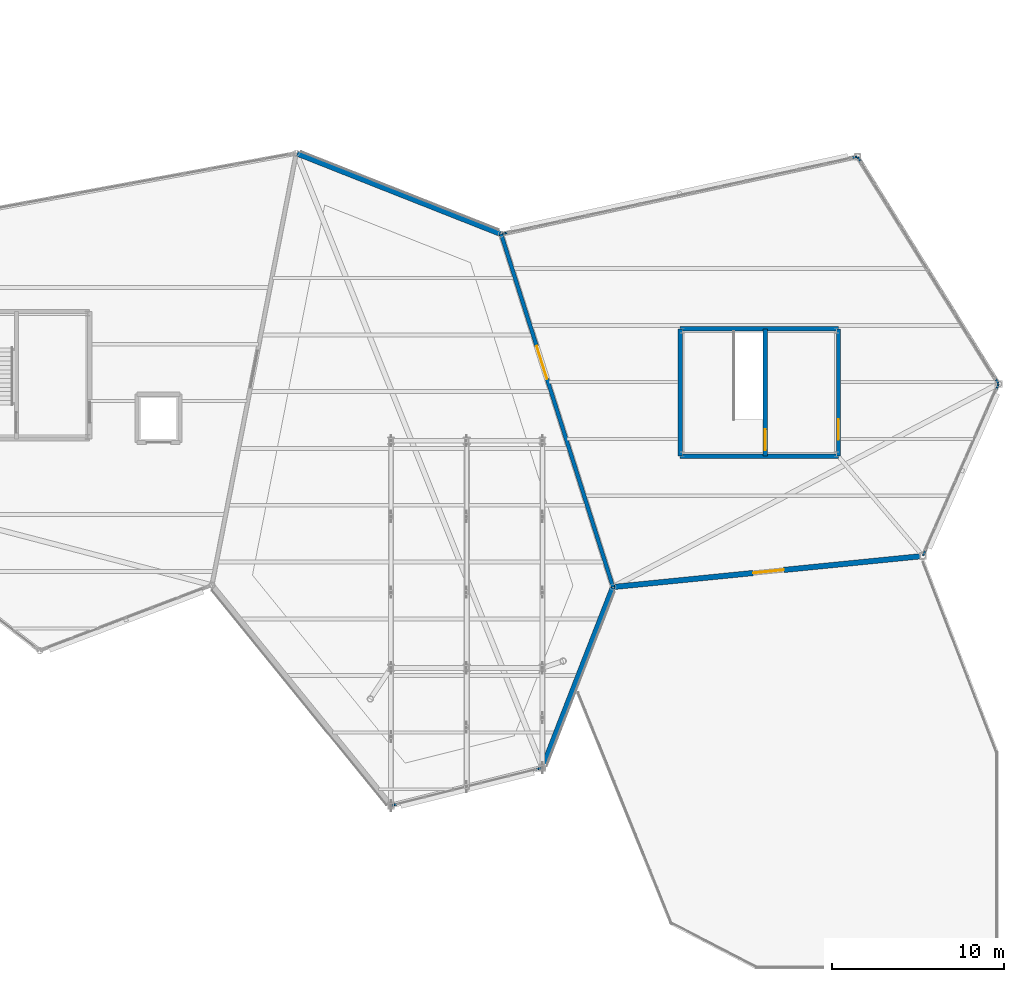
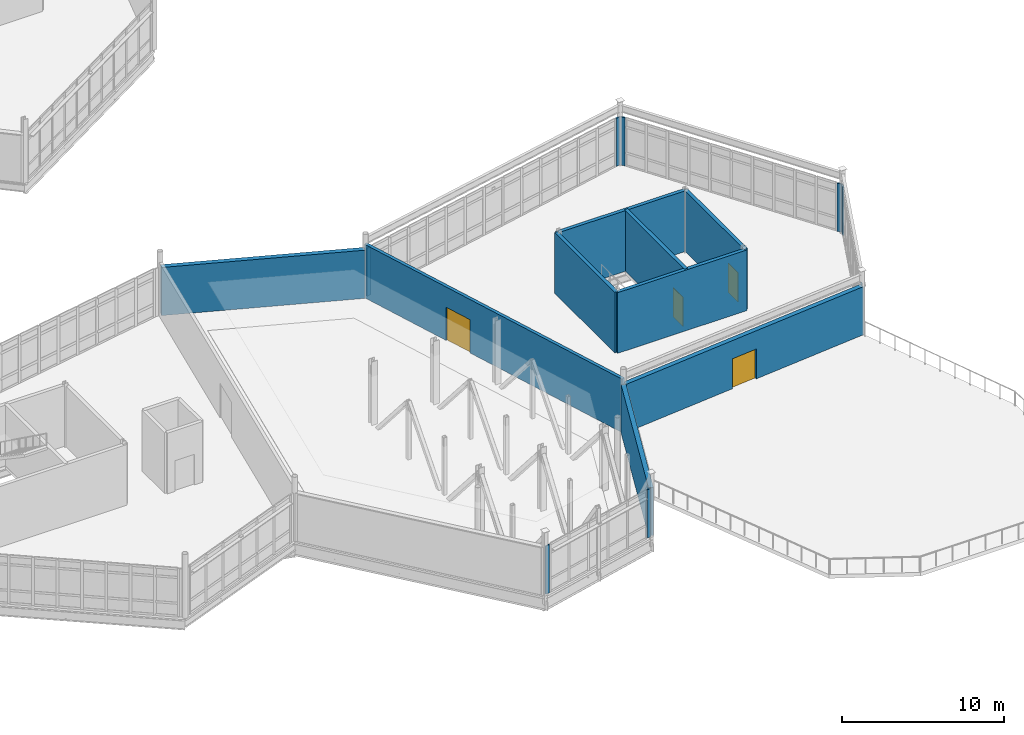
# One storey, part 98 of 114: 17 walls, 4 doors, 4 openings.
"""IFC4 building model written with IfcOpenShell, lengths in metres."""

from ifc_helpers import new_model, si_unit, direction, frame, frame_2d, origin, place, context, subcontext, project, spatial, rectangle, extrude, material, layer, layer_set, type_object, element, fill, save


model = new_model("IFC4")

# Units and contexts
model_context = context("Model", 3, precision=1e-05, world=origin(), true_north=direction((0.0, 1.0)))
body_context = subcontext(model_context, "Body", "Model", "MODEL_VIEW")
ifc_project = project(units=[si_unit("LENGTHUNIT", "METRE"), si_unit("AREAUNIT", "SQUARE_METRE"), si_unit("VOLUMEUNIT", "CUBIC_METRE"), si_unit("PLANEANGLEUNIT", "RADIAN"), si_unit("MASSUNIT", "GRAM", prefix="KILO")], contexts=[model_context])

# Site, building, storey
site_placement = place(None, origin())
site = spatial("IfcSite", under=ifc_project, at=site_placement, CompositionType="ELEMENT")
building_placement = place(site_placement, origin())
building = spatial("IfcBuilding", under=site, at=building_placement, Name="Tameran Prism Museum", CompositionType="ELEMENT")
storey_placement = place(building_placement, frame((0.0, 0.0, 10.199951171875)))
storey = spatial("IfcBuildingStorey", under=building, at=storey_placement, Name="L02", CompositionType="ELEMENT", Elevation=10.199951171875)

# Walls
ifc_material_1 = material(Name="Precast Concrete N40 (40 MPa)", Category="concrete")
ifc_layer_1 = layer(ifc_material_1, 0.094970703125)
ifc_layer_set_1 = layer_set([ifc_layer_1])
wall_type_1 = type_object("IfcWallType", Name="EW-CLOS-095", PredefinedType="SOLIDWALL", material=ifc_layer_set_1)
for number, where, z_axis, x_axis, name in (
    (1, (139.85888671875, 11.68994140625, 0.0), (0.0, 0.0, 1.0), (-0.969955755214, -0.243281386316, 0.0), "Facade Corner Closure EW-0323"),
    (2, (131.43994140625, 9.5849609375, 0.0), (0.0, 0.0, 1.0), (-0.969955755214, -0.243281386316, 0.0), "Facade Corner Closure EW-0324"),
    (3, (166.383056640625, 33.9619140625, 0.0), (0.0, 0.0, 1.0), (-0.402605813257, -0.915373453369, 0.0), "Facade Corner Closure EW-0353"),
    (4, (162.14111328125, 24.320068359375, 0.0), (0.0, 0.0, 1.0), (-0.402605813257, -0.915373453369, 0.0), "Facade Corner Closure EW-0354"),
):
    element("IfcWall", number, at=place(storey_placement, frame(where, z_axis=z_axis, x_axis=x_axis)), inside=storey, type_object=wall_type_1, Name=name, PredefinedType="SOLIDWALL", context=body_context, shape_type="SweptSolid", body=[
        extrude(rectangle(XDim=0.30810546875, YDim=0.094970703125, at=frame_2d((0.154052734375, 0.0))), origin(), (0.0, 0.0, 1.0), 3.6201171875),
    ])
for number, where, z_axis, x_axis, name in (
    (5, (158.221923828125, 47.1640625, 0.0), (0.0, 0.0, 1.0), (0.52992762983, -0.848042868694, 0.0), "Facade Corner Closure EW-0355"),
    (6, (166.215087890625, 34.297119140625, 0.0), (0.0, 0.0, 1.0), (0.529000509187, -0.848621506492, 0.0), "Facade Corner Closure EW-0356"),
    (7, (137.60009765625, 42.721923828125, 0.0), (0.0, 0.0, 1.0), (0.977312194123, 0.211803860252, 0.0), "Facade Corner Closure EW-0357"),
    (8, (157.85791015625, 47.1259765625, 0.0), (0.0, 0.0, 1.0), (0.977511431712, 0.210882433768, 0.0), "Facade Corner Closure EW-0358"),
):
    element("IfcWall", number, at=place(storey_placement, frame(where, z_axis=z_axis, x_axis=x_axis)), inside=storey, type_object=wall_type_1, Name=name, PredefinedType="SOLIDWALL", context=body_context, shape_type="SweptSolid", body=[
        extrude(rectangle(XDim=0.307861328125, YDim=0.094970703125, at=frame_2d((0.15380859375, 0.0))), origin(), (0.0, 0.0, 1.0), 3.6201171875),
    ])
ifc_material_2 = material(Name="Precast Concrete N40 (40 MPa)", Category="concrete")
ifc_layer_2 = layer(ifc_material_2, 0.31494140625)
ifc_layer_set_2 = layer_set([ifc_layer_2])
wall_type_2 = type_object("IfcWallType", Name="EW-GAL-315", PredefinedType="SOLIDWALL", material=ifc_layer_set_2)
wall_1_placement = place(storey_placement, frame((143.97802734375, 22.14404296875, 0.0), z_axis=(0.0, 0.0, 1.0), x_axis=(-0.363726839551, -0.93150565548, 0.0)))
element("IfcWall", 9, at=wall_1_placement, inside=storey, type_object=wall_type_2, Name="Exterior Fluted Precast Wall EW-0320", PredefinedType="SOLIDWALL", context=body_context, shape_type="SweptSolid", body=[
    extrude(rectangle(XDim=11.212158203125, YDim=0.31494140625, at=frame_2d((5.60595703125, 0.0))), origin(), (0.0, 0.0, 1.0), 3.6201171875),
])
wall_2_placement = place(storey_placement, frame((125.656982421875, 47.3779296875, 0.0), z_axis=(0.0, 0.0, 1.0), x_axis=(0.930068974863, -0.367384950696, 0.0)))
element("IfcWall", 10, at=wall_2_placement, inside=storey, type_object=wall_type_2, Name="Exterior Fluted Precast Wall EW-0321", PredefinedType="SOLIDWALL", context=body_context, shape_type="SweptSolid", body=[
    extrude(rectangle(XDim=12.67333984375, YDim=0.31494140625, at=frame_2d((6.336669921875, 0.0))), origin(), (0.0, 0.0, 1.0), 3.6201171875),
])

# Wall, opening, door
wall_3_placement = place(storey_placement, frame((162.0, 24.0, 0.0), z_axis=(0.0, 0.0, 1.0), x_axis=(-0.99503745835, -0.099501037587, 0.0)))
wall_3 = element("IfcWall", 11, at=wall_3_placement, inside=storey, type_object=wall_type_2, Name="Exterior Fluted Precast Wall EW-0352", PredefinedType="SOLIDWALL", context=body_context, shape_type="SweptSolid", body=[
    extrude(rectangle(XDim=18.029296875, YDim=0.31494140625, at=frame_2d((9.0146484375, 0.0))), origin(), (0.0, 0.0, 1.0), 3.6201171875),
])
opening_1_placement = place(wall_3_placement, frame((8.114990234375, 0.0, 0.0)))
opening_1 = element("IfcOpeningElement", 12, at=opening_1_placement, cuts=wall_3, Name="Opening TD-18", PredefinedType="OPENING", context=body_context, shape_type="SweptSolid", body=[
    extrude(rectangle(XDim=1.800048828125, YDim=2.25, at=frame_2d((0.89990234375, 1.125))), frame((0.0, 0.16748046875, 0.0), z_axis=(0.0, -1.0, 0.0), x_axis=(1.0, 0.0, 0.0)), (0.0, 0.0, 1.0), 0.3349609375),
])
ifc_material_3 = material(Name="Cyclone-Rated Anodised Aluminium 6063-T6 and Laminated Glass", Category="aluminium")
door_type_1 = type_object("IfcDoorType", Name="DR-TER-180", OperationType="DOUBLE_DOOR_SINGLE_SWING", PredefinedType="DOOR", material=ifc_material_3)
door_1_placement = place(opening_1_placement, origin())
door_1 = element("IfcDoor", 13, at=door_1_placement, inside=storey, type_object=door_type_1, Name="Terrace Access Door TD-18", OperationType="DOUBLE_DOOR_SINGLE_SWING", OverallHeight=2.25, OverallWidth=1.800048828125, PredefinedType="DOOR", context=body_context, shape_type="SweptSolid", body=[
    extrude(rectangle(XDim=1.800048828125, YDim=2.25, at=frame_2d((0.89990234375, 1.125))), frame((0.0, 0.02490234375, 0.0), z_axis=(0.0, -1.0, 0.0), x_axis=(1.0, 0.0, 0.0)), (0.0, 0.0, 1.0), 0.050048828125),
])
fill(opening_1, door_1)

ifc_material_4 = material(Name="Concrete N40 (40 MPa)", Category="concrete")
ifc_layer_3 = layer(ifc_material_4, 0.22509765625)
ifc_layer_set_3 = layer_set([ifc_layer_3])
wall_type_3 = type_object("IfcWallType", Name="IW-CMP-225", PredefinedType="SOLIDWALL", material=ifc_layer_set_3)
wall_4_placement = place(storey_placement, frame((144.0, 22.199951171875, 0.0), z_axis=(0.0, 0.0, 1.0), x_axis=(-0.302243860734, 0.953230637699, 0.0)))
wall_4 = element("IfcWall", 14, at=wall_4_placement, inside=storey, type_object=wall_type_3, Name="Compartment Wall IW-0122", PredefinedType="SOLIDWALL", context=body_context, shape_type="SweptSolid", body=[
    extrude(rectangle(XDim=21.505859375, YDim=0.22509765625, at=frame_2d((10.7529296875, 0.0))), origin(), (0.0, 0.0, 1.0), 4.02001953125),
])
opening_2_placement = place(wall_4_placement, frame((12.678955078125, 0.0, 0.0)))
opening_2 = element("IfcOpeningElement", 15, at=opening_2_placement, cuts=wall_4, Name="Opening ID-0121", PredefinedType="OPENING", context=body_context, shape_type="SweptSolid", body=[
    extrude(rectangle(XDim=2.0, YDim=2.5, at=frame_2d((1.0, 1.25))), frame((0.0, 0.12255859375, 0.0), z_axis=(0.0, -1.0, 0.0), x_axis=(1.0, 0.0, 0.0)), (0.0, 0.0, 1.0), 0.2451171875),
])
ifc_material_5 = material(Name="Fire-Rated Steel Door Leaf and Frame", Category="steel")
door_type_2 = type_object("IfcDoorType", Name="DR-GAL-200", OperationType="DOUBLE_DOOR_SINGLE_SWING", PredefinedType="DOOR", material=ifc_material_5)
door_2_placement = place(opening_2_placement, origin())
door_2 = element("IfcDoor", 16, at=door_2_placement, inside=storey, type_object=door_type_2, Name="Compartment Door ID-0121", OperationType="DOUBLE_DOOR_SINGLE_SWING", OverallHeight=2.5, OverallWidth=2.0, PredefinedType="DOOR", context=body_context, shape_type="SweptSolid", body=[
    extrude(rectangle(XDim=2.0, YDim=2.5, at=frame_2d((1.0, 1.25))), frame((0.0, 0.02490234375, 0.0), z_axis=(0.0, -1.0, 0.0), x_axis=(1.0, 0.0, 0.0)), (0.0, 0.0, 1.0), 0.050048828125),
])
fill(opening_2, door_2)

# Walls
ifc_material_6 = material(Name="Concrete N40 (40 MPa)", Category="concrete")
ifc_layer_4 = layer(ifc_material_6, 0.25)
ifc_layer_set_4 = layer_set([ifc_layer_4])
wall_type_4 = type_object("IfcWallType", Name="IW-COR-250", PredefinedType="SHEAR", material=ifc_layer_set_4)
wall_5_placement = place(storey_placement, frame((147.89990234375, 29.800048828125, 0.0), z_axis=(0.0, 0.0, 1.0), x_axis=(0.0, 1.0, 0.0)))
element("IfcWall", 17, at=wall_5_placement, inside=storey, type_object=wall_type_4, Name="Core Shear Wall CW-13-L02-W", PredefinedType="SHEAR", context=body_context, shape_type="SweptSolid", body=[
    extrude(rectangle(XDim=7.39990234375, YDim=0.25, at=frame_2d((3.699951171875, 0.0))), origin(), (0.0, 0.0, 1.0), 4.56005859375),
])
for number, where, z_axis, x_axis, name in (
    (18, (147.89990234375, 37.199951171875, 0.0), (0.0, 0.0, 1.0), (1.0, 0.0, 0.0), "Core Shear Wall CW-13-L02-N"),
    (19, (157.10009765625, 29.800048828125, 0.0), (0.0, 0.0, 1.0), (-1.0, 0.0, 0.0), "Core Shear Wall CW-13-L02-S"),
):
    element("IfcWall", number, at=place(storey_placement, frame(where, z_axis=z_axis, x_axis=x_axis)), inside=storey, type_object=wall_type_4, Name=name, PredefinedType="SHEAR", context=body_context, shape_type="SweptSolid", body=[
        extrude(rectangle(XDim=9.2001953125, YDim=0.25, at=frame_2d((4.60009765625, 0.0))), origin(), (0.0, 0.0, 1.0), 4.56005859375),
    ])

# Wall, opening, door
wall_6_placement = place(storey_placement, frame((157.10009765625, 37.199951171875, 0.0), z_axis=(0.0, 0.0, 1.0), x_axis=(0.0, -1.0, 0.0)))
wall_6 = element("IfcWall", 20, at=wall_6_placement, inside=storey, type_object=wall_type_4, Name="Core Shear Wall CW-13-L02-E", PredefinedType="SHEAR", context=body_context, shape_type="SweptSolid", body=[
    extrude(rectangle(XDim=7.39990234375, YDim=0.25, at=frame_2d((3.699951171875, 0.0))), origin(), (0.0, 0.0, 1.0), 4.56005859375),
])
opening_3_placement = place(wall_6_placement, frame((5.25, 0.0, 0.0)))
opening_3 = element("IfcOpeningElement", 21, at=opening_3_placement, cuts=wall_6, Name="Opening FD-0285", PredefinedType="OPENING", context=body_context, shape_type="SweptSolid", body=[
    extrude(rectangle(XDim=1.199951171875, YDim=2.199951171875, at=frame_2d((0.60009765625, 1.10009765625))), frame((0.0, 0.135009765625, 0.0), z_axis=(0.0, -1.0, 0.0), x_axis=(1.0, 0.0, 0.0)), (0.0, 0.0, 1.0), 0.27001953125),
])
ifc_material_7 = material(Name="Fire-Rated Steel Door Leaf and Frame", Category="steel")
door_type_3 = type_object("IfcDoorType", Name="DR-FD-120A", OperationType="NOTDEFINED", PredefinedType="DOOR", material=ifc_material_7)
door_3_placement = place(opening_3_placement, origin())
door_3 = element("IfcDoor", 22, at=door_3_placement, inside=storey, type_object=door_type_3, Name="Core Fire Door FD-0285", OperationType="SINGLE_SWING_LEFT", OverallHeight=2.199951171875, OverallWidth=1.199951171875, PredefinedType="DOOR", context=body_context, shape_type="SweptSolid", body=[
    extrude(rectangle(XDim=1.199951171875, YDim=2.199951171875, at=frame_2d((0.60009765625, 1.10009765625))), frame((0.0, 0.02490234375, 0.0), z_axis=(0.0, -1.0, 0.0), x_axis=(1.0, 0.0, 0.0)), (0.0, 0.0, 1.0), 0.050048828125),
])
fill(opening_3, door_3)

wall_7_placement = place(storey_placement, frame((152.85009765625, 37.199951171875, 0.0), z_axis=(0.0, 0.0, 1.0), x_axis=(0.0, -1.0, 0.0)))
wall_7 = element("IfcWall", 23, at=wall_7_placement, inside=storey, type_object=wall_type_4, Name="Core Shear Wall CW-13-L02-M", PredefinedType="SHEAR", context=body_context, shape_type="SweptSolid", body=[
    extrude(rectangle(XDim=7.39990234375, YDim=0.25, at=frame_2d((3.699951171875, 0.0))), origin(), (0.0, 0.0, 1.0), 4.56005859375),
])
opening_4_placement = place(wall_7_placement, frame((5.85009765625, 0.0, 0.0)))
opening_4 = element("IfcOpeningElement", 24, at=opening_4_placement, cuts=wall_7, Name="Opening FD-0286", PredefinedType="OPENING", context=body_context, shape_type="SweptSolid", body=[
    extrude(rectangle(XDim=1.199951171875, YDim=2.199951171875, at=frame_2d((0.60009765625, 1.10009765625))), frame((0.0, 0.135009765625, 0.0), z_axis=(0.0, -1.0, 0.0), x_axis=(1.0, 0.0, 0.0)), (0.0, 0.0, 1.0), 0.27001953125),
])
door_4_placement = place(opening_4_placement, origin())
door_4 = element("IfcDoor", 25, at=door_4_placement, inside=storey, type_object=door_type_3, Name="Core Fire Door FD-0286", OperationType="SINGLE_SWING_RIGHT", OverallHeight=2.199951171875, OverallWidth=1.199951171875, PredefinedType="DOOR", context=body_context, shape_type="SweptSolid", body=[
    extrude(rectangle(XDim=1.199951171875, YDim=2.199951171875, at=frame_2d((0.60009765625, 1.10009765625))), frame((0.0, 0.02490234375, 0.0), z_axis=(0.0, -1.0, 0.0), x_axis=(1.0, 0.0, 0.0)), (0.0, 0.0, 1.0), 0.050048828125),
])
fill(opening_4, door_4)

save(model, "model.ifc")
